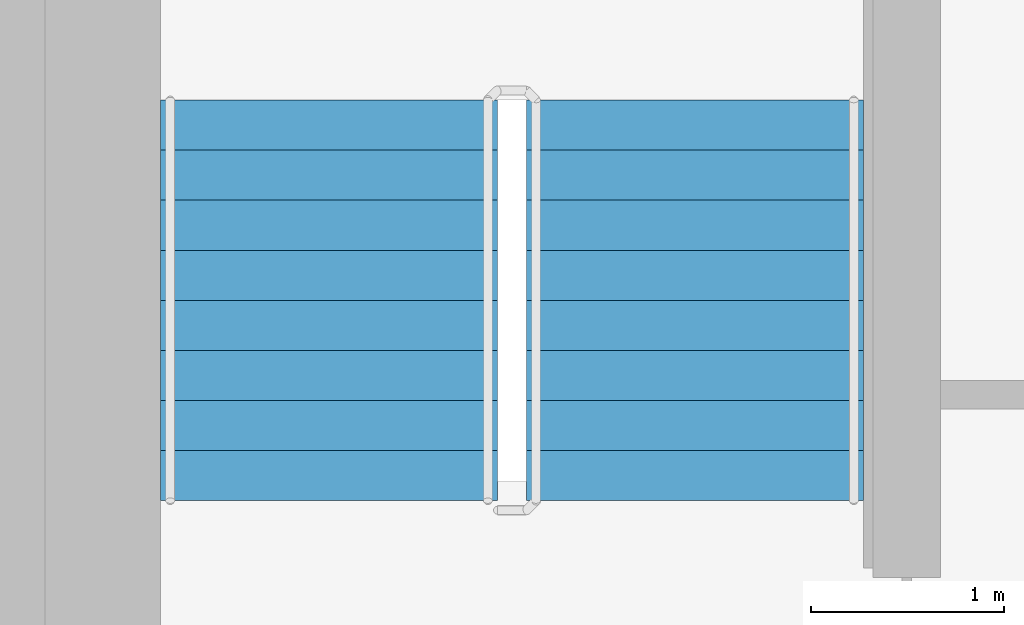
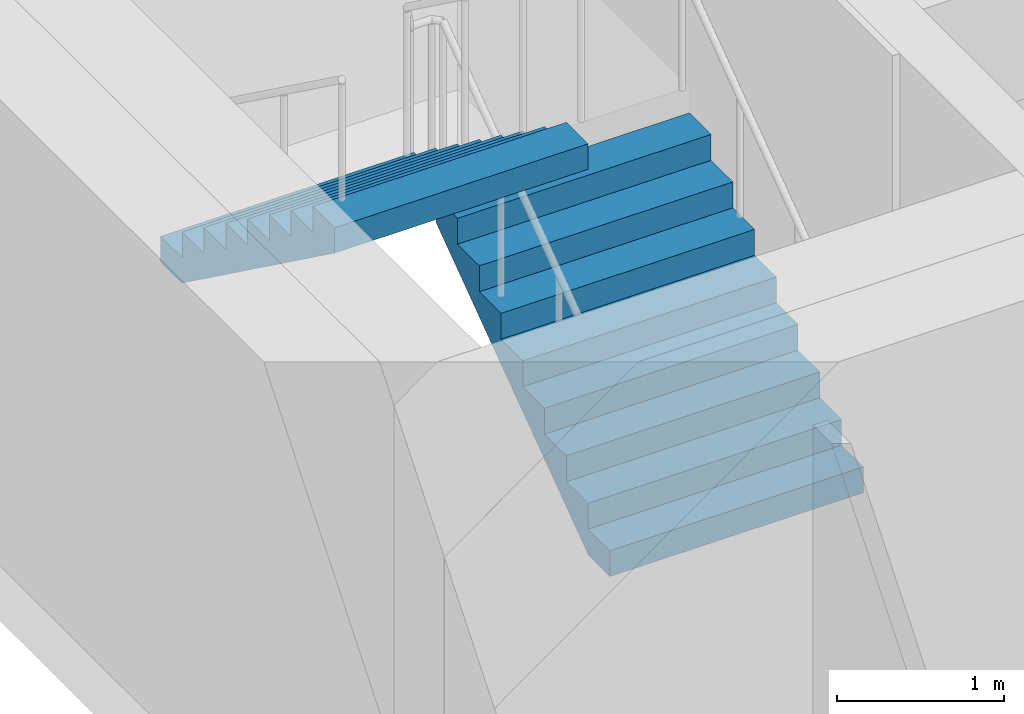
# One storey, part 15 of 18: 2 stair flights, 1 element without a shape of its own.
"""IFC4 building model written with IfcOpenShell, lengths in metres."""

from ifc_helpers import new_model, si_unit, direction, frame, origin, place, context, subcontext, project, spatial, faceted_brep, material, type_object, element, aggregate, save


model = new_model("IFC4")

# Units and contexts
model_context = context("Model", 3, precision=1e-05, world=origin(), true_north=direction((0.0, 1.0)))
body_context = subcontext(model_context, "Body", "Model", "MODEL_VIEW")
ifc_project = project(units=[si_unit("LENGTHUNIT", "METRE"), si_unit("AREAUNIT", "SQUARE_METRE"), si_unit("VOLUMEUNIT", "CUBIC_METRE"), si_unit("PLANEANGLEUNIT", "RADIAN"), si_unit("MASSUNIT", "GRAM", prefix="KILO")], contexts=[model_context])

# Site, building, storey
site_placement = place(None, origin())
site = spatial("IfcSite", under=ifc_project, at=site_placement, CompositionType="ELEMENT")
building_placement = place(site_placement, origin())
building = spatial("IfcBuilding", under=site, at=building_placement, Name="Ipe Terrace Towers", CompositionType="ELEMENT")
storey_placement = place(building_placement, frame((0.0, 0.0, 196.0)))
storey = spatial("IfcBuildingStorey", under=building, at=storey_placement, Name="L54", CompositionType="ELEMENT", Elevation=196.0)

# Stair, stair flights
ifc_material_1 = material(Name="Concrete C30/37", Category="concrete")
stair_type = type_object("IfcStairType", Name="Protected exit stair", PredefinedType="HALF_TURN_STAIR", material=ifc_material_1)
stair_placement = place(storey_placement, origin())
stair = element("IfcStair", 1, at=stair_placement, inside=storey, type_object=stair_type, Name="L54 Exit stair T2-C1", PredefinedType="HALF_TURN_STAIR")
ifc_material_2 = material(Name="Concrete C30/37", Category="concrete")
stair_flight_type = type_object("IfcStairFlightType", Name="Exit stair flight 1750", PredefinedType="STRAIGHT", material=ifc_material_2)
stair_flight_1_placement = place(storey_placement, frame((33.22509765625, 9.699951171875, 0.0), z_axis=(0.0, 0.0, 1.0), x_axis=(0.0, 1.0, 0.0)))
stair_flight_1 = element("IfcStairFlight", 2, at=stair_flight_1_placement, type_object=stair_flight_type, Name="T2-ST1 flight 1", NumberOfRisers=9, NumberOfTreads=8, PredefinedType="STRAIGHT", RiserHeight=0.188888889, TreadLength=0.26, context=body_context, shape_type="Brep", body=[
    faceted_brep([(0.255126953125, -0.875, 0.0), (2.080078125, -0.875, 1.325927734375), (2.080078125, -0.875, 1.51123046875), (1.820068359375, -0.875, 1.51123046875), (1.820068359375, -0.875, 1.322265625), (1.56005859375, -0.875, 1.322265625), (1.56005859375, -0.875, 1.13330078125), (1.300048828125, -0.875, 1.13330078125), (1.300048828125, -0.875, 0.9443359375), (1.0400390625, -0.875, 0.9443359375), (1.0400390625, -0.875, 0.755615234375), (0.780029296875, -0.875, 0.755615234375), (0.780029296875, -0.875, 0.566650390625), (0.52001953125, -0.875, 0.566650390625), (0.52001953125, -0.875, 0.377685546875), (0.260009765625, -0.875, 0.377685546875), (0.260009765625, -0.875, 0.18896484375), (0.0, -0.875, 0.18896484375), (0.0, -0.875, 0.0), (0.0, 0.875, 0.0), (0.0, 0.875, 0.18896484375), (0.260009765625, 0.875, 0.18896484375), (0.260009765625, 0.875, 0.377685546875), (0.52001953125, 0.875, 0.377685546875), (0.52001953125, 0.875, 0.566650390625), (0.780029296875, 0.875, 0.566650390625), (0.780029296875, 0.875, 0.755615234375), (1.0400390625, 0.875, 0.755615234375), (1.0400390625, 0.875, 0.9443359375), (1.300048828125, 0.875, 0.9443359375), (1.300048828125, 0.875, 1.13330078125), (1.56005859375, 0.875, 1.13330078125), (1.56005859375, 0.875, 1.322265625), (1.820068359375, 0.875, 1.322265625), (1.820068359375, 0.875, 1.51123046875), (2.080078125, 0.875, 1.51123046875), (2.080078125, 0.875, 1.325927734375), (0.255126953125, 0.875, 0.0), (0.0, -0.300048828125, 0.18896484375), (0.0, -0.1201171875, 0.18896484375), (0.0, -0.06005859375, 0.18896484375), (0.0, -0.030029296875, 0.18896484375), (0.0, -0.010009765625, 0.18896484375), (0.0, 0.0, 0.18896484375), (0.0, 0.010009765625, 0.18896484375), (0.0, 0.030029296875, 0.18896484375), (0.0, 0.06005859375, 0.18896484375), (0.0, 0.1201171875, 0.18896484375), (0.0, 0.300048828125, 0.18896484375), (0.0, 0.300048828125, 0.0), (0.0, 0.1201171875, 0.0), (0.0, 0.06005859375, 0.0), (0.0, 0.030029296875, 0.0), (0.0, 0.010009765625, 0.0), (0.0, 0.0, 0.0), (0.0, -0.010009765625, 0.0), (0.0, -0.030029296875, 0.0), (0.0, -0.06005859375, 0.0), (0.0, -0.1201171875, 0.0), (0.0, -0.300048828125, 0.0), (0.260009765625, -0.300048828125, 0.18896484375), (0.260009765625, -0.1201171875, 0.18896484375), (0.260009765625, -0.06005859375, 0.18896484375), (0.260009765625, -0.030029296875, 0.18896484375), (0.260009765625, -0.010009765625, 0.18896484375), (0.260009765625, 0.0, 0.18896484375), (0.260009765625, 0.010009765625, 0.18896484375), (0.260009765625, 0.030029296875, 0.18896484375), (0.260009765625, 0.06005859375, 0.18896484375), (0.260009765625, 0.1201171875, 0.18896484375), (0.260009765625, 0.300048828125, 0.18896484375), (0.260009765625, -0.300048828125, 0.377685546875), (0.260009765625, -0.1201171875, 0.377685546875), (0.260009765625, -0.06005859375, 0.377685546875), (0.260009765625, -0.030029296875, 0.377685546875), (0.260009765625, -0.010009765625, 0.377685546875), (0.260009765625, 0.0, 0.377685546875), (0.260009765625, 0.010009765625, 0.377685546875), (0.260009765625, 0.030029296875, 0.377685546875), (0.260009765625, 0.06005859375, 0.377685546875), (0.260009765625, 0.1201171875, 0.377685546875), (0.260009765625, 0.300048828125, 0.377685546875), (0.52001953125, -0.300048828125, 0.377685546875), (0.52001953125, -0.1201171875, 0.377685546875), (0.52001953125, -0.06005859375, 0.377685546875), (0.52001953125, -0.030029296875, 0.377685546875), (0.52001953125, -0.010009765625, 0.377685546875), (0.52001953125, 0.0, 0.377685546875), (0.52001953125, 0.010009765625, 0.377685546875), (0.52001953125, 0.030029296875, 0.377685546875), (0.52001953125, 0.06005859375, 0.377685546875), (0.52001953125, 0.1201171875, 0.377685546875), (0.52001953125, 0.300048828125, 0.377685546875), (0.52001953125, -0.300048828125, 0.566650390625), (0.52001953125, -0.1201171875, 0.566650390625), (0.52001953125, -0.06005859375, 0.566650390625), (0.52001953125, -0.030029296875, 0.566650390625), (0.52001953125, -0.010009765625, 0.566650390625), (0.52001953125, 0.0, 0.566650390625), (0.52001953125, 0.010009765625, 0.566650390625), (0.52001953125, 0.030029296875, 0.566650390625), (0.52001953125, 0.06005859375, 0.566650390625), (0.52001953125, 0.1201171875, 0.566650390625), (0.52001953125, 0.300048828125, 0.566650390625), (0.780029296875, -0.300048828125, 0.566650390625), (0.780029296875, -0.1201171875, 0.566650390625), (0.780029296875, -0.06005859375, 0.566650390625), (0.780029296875, -0.030029296875, 0.566650390625), (0.780029296875, -0.010009765625, 0.566650390625), (0.780029296875, 0.0, 0.566650390625), (0.780029296875, 0.010009765625, 0.566650390625), (0.780029296875, 0.030029296875, 0.566650390625), (0.780029296875, 0.06005859375, 0.566650390625), (0.780029296875, 0.1201171875, 0.566650390625), (0.780029296875, 0.300048828125, 0.566650390625), (0.780029296875, -0.300048828125, 0.755615234375), (0.780029296875, -0.1201171875, 0.755615234375), (0.780029296875, -0.06005859375, 0.755615234375), (0.780029296875, -0.030029296875, 0.755615234375), (0.780029296875, -0.010009765625, 0.755615234375), (0.780029296875, 0.0, 0.755615234375), (0.780029296875, 0.010009765625, 0.755615234375), (0.780029296875, 0.030029296875, 0.755615234375), (0.780029296875, 0.06005859375, 0.755615234375), (0.780029296875, 0.1201171875, 0.755615234375), (0.780029296875, 0.300048828125, 0.755615234375), (1.0400390625, -0.300048828125, 0.755615234375), (1.0400390625, -0.1201171875, 0.755615234375), (1.0400390625, -0.06005859375, 0.755615234375), (1.0400390625, -0.030029296875, 0.755615234375), (1.0400390625, -0.010009765625, 0.755615234375), (1.0400390625, 0.0, 0.755615234375), (1.0400390625, 0.010009765625, 0.755615234375), (1.0400390625, 0.030029296875, 0.755615234375), (1.0400390625, 0.06005859375, 0.755615234375), (1.0400390625, 0.1201171875, 0.755615234375), (1.0400390625, 0.300048828125, 0.755615234375), (1.0400390625, -0.300048828125, 0.9443359375), (1.0400390625, -0.1201171875, 0.9443359375), (1.0400390625, -0.06005859375, 0.9443359375), (1.0400390625, -0.030029296875, 0.9443359375), (1.0400390625, -0.010009765625, 0.9443359375), (1.0400390625, 0.0, 0.9443359375), (1.0400390625, 0.010009765625, 0.9443359375), (1.0400390625, 0.030029296875, 0.9443359375), (1.0400390625, 0.06005859375, 0.9443359375), (1.0400390625, 0.1201171875, 0.9443359375), (1.0400390625, 0.300048828125, 0.9443359375), (1.300048828125, -0.300048828125, 0.9443359375), (1.300048828125, -0.1201171875, 0.9443359375), (1.300048828125, -0.06005859375, 0.9443359375), (1.300048828125, -0.030029296875, 0.9443359375), (1.300048828125, -0.010009765625, 0.9443359375), (1.300048828125, 0.0, 0.9443359375), (1.300048828125, 0.010009765625, 0.9443359375), (1.300048828125, 0.030029296875, 0.9443359375), (1.300048828125, 0.06005859375, 0.9443359375), (1.300048828125, 0.1201171875, 0.9443359375), (1.300048828125, 0.300048828125, 0.9443359375), (1.300048828125, -0.300048828125, 1.13330078125), (1.300048828125, -0.1201171875, 1.13330078125), (1.300048828125, -0.06005859375, 1.13330078125), (1.300048828125, -0.030029296875, 1.13330078125), (1.300048828125, -0.010009765625, 1.13330078125), (1.300048828125, 0.0, 1.13330078125), (1.300048828125, 0.010009765625, 1.13330078125), (1.300048828125, 0.030029296875, 1.13330078125), (1.300048828125, 0.06005859375, 1.13330078125), (1.300048828125, 0.1201171875, 1.13330078125), (1.300048828125, 0.300048828125, 1.13330078125), (1.56005859375, -0.300048828125, 1.13330078125), (1.56005859375, -0.1201171875, 1.13330078125), (1.56005859375, -0.06005859375, 1.13330078125), (1.56005859375, -0.030029296875, 1.13330078125), (1.56005859375, -0.010009765625, 1.13330078125), (1.56005859375, 0.0, 1.13330078125), (1.56005859375, 0.010009765625, 1.13330078125), (1.56005859375, 0.030029296875, 1.13330078125), (1.56005859375, 0.06005859375, 1.13330078125), (1.56005859375, 0.1201171875, 1.13330078125), (1.56005859375, 0.300048828125, 1.13330078125), (1.56005859375, -0.300048828125, 1.322265625), (1.56005859375, -0.1201171875, 1.322265625), (1.56005859375, -0.06005859375, 1.322265625), (1.56005859375, -0.030029296875, 1.322265625), (1.56005859375, -0.010009765625, 1.322265625), (1.56005859375, 0.0, 1.322265625), (1.56005859375, 0.010009765625, 1.322265625), (1.56005859375, 0.030029296875, 1.322265625), (1.56005859375, 0.06005859375, 1.322265625), (1.56005859375, 0.1201171875, 1.322265625), (1.56005859375, 0.300048828125, 1.322265625), (1.820068359375, -0.300048828125, 1.322265625), (1.820068359375, -0.1201171875, 1.322265625), (1.820068359375, -0.06005859375, 1.322265625), (1.820068359375, -0.030029296875, 1.322265625), (1.820068359375, -0.010009765625, 1.322265625), (1.820068359375, 0.0, 1.322265625), (1.820068359375, 0.010009765625, 1.322265625), (1.820068359375, 0.030029296875, 1.322265625), (1.820068359375, 0.06005859375, 1.322265625), (1.820068359375, 0.1201171875, 1.322265625), (1.820068359375, 0.300048828125, 1.322265625), (1.820068359375, -0.300048828125, 1.51123046875), (1.820068359375, -0.1201171875, 1.51123046875), (1.820068359375, -0.06005859375, 1.51123046875), (1.820068359375, -0.030029296875, 1.51123046875), (1.820068359375, -0.010009765625, 1.51123046875), (1.820068359375, 0.0, 1.51123046875), (1.820068359375, 0.010009765625, 1.51123046875), (1.820068359375, 0.030029296875, 1.51123046875), (1.820068359375, 0.06005859375, 1.51123046875), (1.820068359375, 0.1201171875, 1.51123046875), (1.820068359375, 0.300048828125, 1.51123046875), (2.080078125, -0.300048828125, 1.51123046875), (2.080078125, -0.1201171875, 1.51123046875), (2.080078125, -0.06005859375, 1.51123046875), (2.080078125, -0.030029296875, 1.51123046875), (2.080078125, -0.010009765625, 1.51123046875), (2.080078125, 0.0, 1.51123046875), (2.080078125, 0.010009765625, 1.51123046875), (2.080078125, 0.030029296875, 1.51123046875), (2.080078125, 0.06005859375, 1.51123046875), (2.080078125, 0.1201171875, 1.51123046875), (2.080078125, 0.300048828125, 1.51123046875), (2.080078125, -0.300048828125, 1.325927734375), (2.080078125, -0.1201171875, 1.325927734375), (2.080078125, -0.06005859375, 1.325927734375), (2.080078125, -0.030029296875, 1.325927734375), (2.080078125, -0.010009765625, 1.325927734375), (2.080078125, 0.0, 1.325927734375), (2.080078125, 0.010009765625, 1.325927734375), (2.080078125, 0.030029296875, 1.325927734375), (2.080078125, 0.06005859375, 1.325927734375), (2.080078125, 0.1201171875, 1.325927734375), (2.080078125, 0.300048828125, 1.325927734375), (0.255126953125, -0.300048828125, 0.0), (0.255126953125, -0.1201171875, 0.0), (0.255126953125, -0.06005859375, 0.0), (0.255126953125, -0.030029296875, 0.0), (0.255126953125, -0.010009765625, 0.0), (0.255126953125, 0.0, 0.0), (0.255126953125, 0.010009765625, 0.0), (0.255126953125, 0.030029296875, 0.0), (0.255126953125, 0.06005859375, 0.0), (0.255126953125, 0.1201171875, 0.0), (0.255126953125, 0.300048828125, 0.0)], [[[0, 1, 2, 3, 4, 5, 6, 7, 8, 9, 10, 11, 12, 13, 14, 15, 16, 17, 18]], [[19, 20, 21, 22, 23, 24, 25, 26, 27, 28, 29, 30, 31, 32, 33, 34, 35, 36, 37]], [[17, 38, 39, 40, 41, 42, 43, 44, 45, 46, 47, 48, 20, 19, 49, 50, 51, 52, 53, 54, 55, 56, 57, 58, 59, 18]], [[16, 60, 61, 62, 63, 64, 65, 66, 67, 68, 69, 70, 21, 20, 48, 47, 46, 45, 44, 43, 42, 41, 40, 39, 38, 17]], [[15, 71, 72, 73, 74, 75, 76, 77, 78, 79, 80, 81, 22, 21, 70, 69, 68, 67, 66, 65, 64, 63, 62, 61, 60, 16]], [[14, 82, 83, 84, 85, 86, 87, 88, 89, 90, 91, 92, 23, 22, 81, 80, 79, 78, 77, 76, 75, 74, 73, 72, 71, 15]], [[13, 93, 94, 95, 96, 97, 98, 99, 100, 101, 102, 103, 24, 23, 92, 91, 90, 89, 88, 87, 86, 85, 84, 83, 82, 14]], [[12, 104, 105, 106, 107, 108, 109, 110, 111, 112, 113, 114, 25, 24, 103, 102, 101, 100, 99, 98, 97, 96, 95, 94, 93, 13]], [[11, 115, 116, 117, 118, 119, 120, 121, 122, 123, 124, 125, 26, 25, 114, 113, 112, 111, 110, 109, 108, 107, 106, 105, 104, 12]], [[10, 126, 127, 128, 129, 130, 131, 132, 133, 134, 135, 136, 27, 26, 125, 124, 123, 122, 121, 120, 119, 118, 117, 116, 115, 11]], [[9, 137, 138, 139, 140, 141, 142, 143, 144, 145, 146, 147, 28, 27, 136, 135, 134, 133, 132, 131, 130, 129, 128, 127, 126, 10]], [[8, 148, 149, 150, 151, 152, 153, 154, 155, 156, 157, 158, 29, 28, 147, 146, 145, 144, 143, 142, 141, 140, 139, 138, 137, 9]], [[7, 159, 160, 161, 162, 163, 164, 165, 166, 167, 168, 169, 30, 29, 158, 157, 156, 155, 154, 153, 152, 151, 150, 149, 148, 8]], [[6, 170, 171, 172, 173, 174, 175, 176, 177, 178, 179, 180, 31, 30, 169, 168, 167, 166, 165, 164, 163, 162, 161, 160, 159, 7]], [[5, 181, 182, 183, 184, 185, 186, 187, 188, 189, 190, 191, 32, 31, 180, 179, 178, 177, 176, 175, 174, 173, 172, 171, 170, 6]], [[4, 192, 193, 194, 195, 196, 197, 198, 199, 200, 201, 202, 33, 32, 191, 190, 189, 188, 187, 186, 185, 184, 183, 182, 181, 5]], [[3, 203, 204, 205, 206, 207, 208, 209, 210, 211, 212, 213, 34, 33, 202, 201, 200, 199, 198, 197, 196, 195, 194, 193, 192, 4]], [[2, 214, 215, 216, 217, 218, 219, 220, 221, 222, 223, 224, 35, 34, 213, 212, 211, 210, 209, 208, 207, 206, 205, 204, 203, 3]], [[1, 225, 226, 227, 228, 229, 230, 231, 232, 233, 234, 235, 36, 35, 224, 223, 222, 221, 220, 219, 218, 217, 216, 215, 214, 2]], [[0, 236, 237, 238, 239, 240, 241, 242, 243, 244, 245, 246, 37, 36, 235, 234, 233, 232, 231, 230, 229, 228, 227, 226, 225, 1]], [[18, 59, 58, 57, 56, 55, 54, 53, 52, 51, 50, 49, 19, 37, 246, 245, 244, 243, 242, 241, 240, 239, 238, 237, 236, 0]]]),
])
stair_flight_2_placement = place(storey_placement, frame((31.324951171875, 11.780029296875, 1.699951171875), z_axis=(0.0, 0.0, 1.0), x_axis=(0.0, -1.0, 0.0)))
stair_flight_2 = element("IfcStairFlight", 3, at=stair_flight_2_placement, type_object=stair_flight_type, Name="T2-ST1 flight 2", NumberOfRisers=9, NumberOfTreads=8, PredefinedType="STRAIGHT", RiserHeight=0.188888889, TreadLength=0.26, context=body_context, shape_type="Brep", body=[
    faceted_brep([(0.255126953125, -0.875, 0.0), (2.080078125, -0.875, 1.325927734375), (2.080078125, -0.875, 1.51123046875), (1.820068359375, -0.875, 1.51123046875), (1.820068359375, -0.875, 1.322265625), (1.56005859375, -0.875, 1.322265625), (1.56005859375, -0.875, 1.13330078125), (1.300048828125, -0.875, 1.13330078125), (1.300048828125, -0.875, 0.9443359375), (1.0400390625, -0.875, 0.9443359375), (1.0400390625, -0.875, 0.755615234375), (0.780029296875, -0.875, 0.755615234375), (0.780029296875, -0.875, 0.566650390625), (0.52001953125, -0.875, 0.566650390625), (0.52001953125, -0.875, 0.377685546875), (0.260009765625, -0.875, 0.377685546875), (0.260009765625, -0.875, 0.18896484375), (0.0, -0.875, 0.18896484375), (0.0, -0.875, 0.0), (0.0, 0.875, 0.0), (0.0, 0.875, 0.18896484375), (0.260009765625, 0.875, 0.18896484375), (0.260009765625, 0.875, 0.377685546875), (0.52001953125, 0.875, 0.377685546875), (0.52001953125, 0.875, 0.566650390625), (0.780029296875, 0.875, 0.566650390625), (0.780029296875, 0.875, 0.755615234375), (1.0400390625, 0.875, 0.755615234375), (1.0400390625, 0.875, 0.9443359375), (1.300048828125, 0.875, 0.9443359375), (1.300048828125, 0.875, 1.13330078125), (1.56005859375, 0.875, 1.13330078125), (1.56005859375, 0.875, 1.322265625), (1.820068359375, 0.875, 1.322265625), (1.820068359375, 0.875, 1.51123046875), (2.080078125, 0.875, 1.51123046875), (2.080078125, 0.875, 1.325927734375), (0.255126953125, 0.875, 0.0), (0.0, -0.300048828125, 0.18896484375), (0.0, -0.1201171875, 0.18896484375), (0.0, -0.06005859375, 0.18896484375), (0.0, -0.030029296875, 0.18896484375), (0.0, -0.010009765625, 0.18896484375), (0.0, 0.0, 0.18896484375), (0.0, 0.010009765625, 0.18896484375), (0.0, 0.030029296875, 0.18896484375), (0.0, 0.06005859375, 0.18896484375), (0.0, 0.1201171875, 0.18896484375), (0.0, 0.300048828125, 0.18896484375), (0.0, 0.300048828125, 0.0), (0.0, 0.1201171875, 0.0), (0.0, 0.06005859375, 0.0), (0.0, 0.030029296875, 0.0), (0.0, 0.010009765625, 0.0), (0.0, 0.0, 0.0), (0.0, -0.010009765625, 0.0), (0.0, -0.030029296875, 0.0), (0.0, -0.06005859375, 0.0), (0.0, -0.1201171875, 0.0), (0.0, -0.300048828125, 0.0), (0.260009765625, -0.300048828125, 0.18896484375), (0.260009765625, -0.1201171875, 0.18896484375), (0.260009765625, -0.06005859375, 0.18896484375), (0.260009765625, -0.030029296875, 0.18896484375), (0.260009765625, -0.010009765625, 0.18896484375), (0.260009765625, 0.0, 0.18896484375), (0.260009765625, 0.010009765625, 0.18896484375), (0.260009765625, 0.030029296875, 0.18896484375), (0.260009765625, 0.06005859375, 0.18896484375), (0.260009765625, 0.1201171875, 0.18896484375), (0.260009765625, 0.300048828125, 0.18896484375), (0.260009765625, -0.300048828125, 0.377685546875), (0.260009765625, -0.1201171875, 0.377685546875), (0.260009765625, -0.06005859375, 0.377685546875), (0.260009765625, -0.030029296875, 0.377685546875), (0.260009765625, -0.010009765625, 0.377685546875), (0.260009765625, 0.0, 0.377685546875), (0.260009765625, 0.010009765625, 0.377685546875), (0.260009765625, 0.030029296875, 0.377685546875), (0.260009765625, 0.06005859375, 0.377685546875), (0.260009765625, 0.1201171875, 0.377685546875), (0.260009765625, 0.300048828125, 0.377685546875), (0.52001953125, -0.300048828125, 0.377685546875), (0.52001953125, -0.1201171875, 0.377685546875), (0.52001953125, -0.06005859375, 0.377685546875), (0.52001953125, -0.030029296875, 0.377685546875), (0.52001953125, -0.010009765625, 0.377685546875), (0.52001953125, 0.0, 0.377685546875), (0.52001953125, 0.010009765625, 0.377685546875), (0.52001953125, 0.030029296875, 0.377685546875), (0.52001953125, 0.06005859375, 0.377685546875), (0.52001953125, 0.1201171875, 0.377685546875), (0.52001953125, 0.300048828125, 0.377685546875), (0.52001953125, -0.300048828125, 0.566650390625), (0.52001953125, -0.1201171875, 0.566650390625), (0.52001953125, -0.06005859375, 0.566650390625), (0.52001953125, -0.030029296875, 0.566650390625), (0.52001953125, -0.010009765625, 0.566650390625), (0.52001953125, 0.0, 0.566650390625), (0.52001953125, 0.010009765625, 0.566650390625), (0.52001953125, 0.030029296875, 0.566650390625), (0.52001953125, 0.06005859375, 0.566650390625), (0.52001953125, 0.1201171875, 0.566650390625), (0.52001953125, 0.300048828125, 0.566650390625), (0.780029296875, -0.300048828125, 0.566650390625), (0.780029296875, -0.1201171875, 0.566650390625), (0.780029296875, -0.06005859375, 0.566650390625), (0.780029296875, -0.030029296875, 0.566650390625), (0.780029296875, -0.010009765625, 0.566650390625), (0.780029296875, 0.0, 0.566650390625), (0.780029296875, 0.010009765625, 0.566650390625), (0.780029296875, 0.030029296875, 0.566650390625), (0.780029296875, 0.06005859375, 0.566650390625), (0.780029296875, 0.1201171875, 0.566650390625), (0.780029296875, 0.300048828125, 0.566650390625), (0.780029296875, -0.300048828125, 0.755615234375), (0.780029296875, -0.1201171875, 0.755615234375), (0.780029296875, -0.06005859375, 0.755615234375), (0.780029296875, -0.030029296875, 0.755615234375), (0.780029296875, -0.010009765625, 0.755615234375), (0.780029296875, 0.0, 0.755615234375), (0.780029296875, 0.010009765625, 0.755615234375), (0.780029296875, 0.030029296875, 0.755615234375), (0.780029296875, 0.06005859375, 0.755615234375), (0.780029296875, 0.1201171875, 0.755615234375), (0.780029296875, 0.300048828125, 0.755615234375), (1.0400390625, -0.300048828125, 0.755615234375), (1.0400390625, -0.1201171875, 0.755615234375), (1.0400390625, -0.06005859375, 0.755615234375), (1.0400390625, -0.030029296875, 0.755615234375), (1.0400390625, -0.010009765625, 0.755615234375), (1.0400390625, 0.0, 0.755615234375), (1.0400390625, 0.010009765625, 0.755615234375), (1.0400390625, 0.030029296875, 0.755615234375), (1.0400390625, 0.06005859375, 0.755615234375), (1.0400390625, 0.1201171875, 0.755615234375), (1.0400390625, 0.300048828125, 0.755615234375), (1.0400390625, -0.300048828125, 0.9443359375), (1.0400390625, -0.1201171875, 0.9443359375), (1.0400390625, -0.06005859375, 0.9443359375), (1.0400390625, -0.030029296875, 0.9443359375), (1.0400390625, -0.010009765625, 0.9443359375), (1.0400390625, 0.0, 0.9443359375), (1.0400390625, 0.010009765625, 0.9443359375), (1.0400390625, 0.030029296875, 0.9443359375), (1.0400390625, 0.06005859375, 0.9443359375), (1.0400390625, 0.1201171875, 0.9443359375), (1.0400390625, 0.300048828125, 0.9443359375), (1.300048828125, -0.300048828125, 0.9443359375), (1.300048828125, -0.1201171875, 0.9443359375), (1.300048828125, -0.06005859375, 0.9443359375), (1.300048828125, -0.030029296875, 0.9443359375), (1.300048828125, -0.010009765625, 0.9443359375), (1.300048828125, 0.0, 0.9443359375), (1.300048828125, 0.010009765625, 0.9443359375), (1.300048828125, 0.030029296875, 0.9443359375), (1.300048828125, 0.06005859375, 0.9443359375), (1.300048828125, 0.1201171875, 0.9443359375), (1.300048828125, 0.300048828125, 0.9443359375), (1.300048828125, -0.300048828125, 1.13330078125), (1.300048828125, -0.1201171875, 1.13330078125), (1.300048828125, -0.06005859375, 1.13330078125), (1.300048828125, -0.030029296875, 1.13330078125), (1.300048828125, -0.010009765625, 1.13330078125), (1.300048828125, 0.0, 1.13330078125), (1.300048828125, 0.010009765625, 1.13330078125), (1.300048828125, 0.030029296875, 1.13330078125), (1.300048828125, 0.06005859375, 1.13330078125), (1.300048828125, 0.1201171875, 1.13330078125), (1.300048828125, 0.300048828125, 1.13330078125), (1.56005859375, -0.300048828125, 1.13330078125), (1.56005859375, -0.1201171875, 1.13330078125), (1.56005859375, -0.06005859375, 1.13330078125), (1.56005859375, -0.030029296875, 1.13330078125), (1.56005859375, -0.010009765625, 1.13330078125), (1.56005859375, 0.0, 1.13330078125), (1.56005859375, 0.010009765625, 1.13330078125), (1.56005859375, 0.030029296875, 1.13330078125), (1.56005859375, 0.06005859375, 1.13330078125), (1.56005859375, 0.1201171875, 1.13330078125), (1.56005859375, 0.300048828125, 1.13330078125), (1.56005859375, -0.300048828125, 1.322265625), (1.56005859375, -0.1201171875, 1.322265625), (1.56005859375, -0.06005859375, 1.322265625), (1.56005859375, -0.030029296875, 1.322265625), (1.56005859375, -0.010009765625, 1.322265625), (1.56005859375, 0.0, 1.322265625), (1.56005859375, 0.010009765625, 1.322265625), (1.56005859375, 0.030029296875, 1.322265625), (1.56005859375, 0.06005859375, 1.322265625), (1.56005859375, 0.1201171875, 1.322265625), (1.56005859375, 0.300048828125, 1.322265625), (1.820068359375, -0.300048828125, 1.322265625), (1.820068359375, -0.1201171875, 1.322265625), (1.820068359375, -0.06005859375, 1.322265625), (1.820068359375, -0.030029296875, 1.322265625), (1.820068359375, -0.010009765625, 1.322265625), (1.820068359375, 0.0, 1.322265625), (1.820068359375, 0.010009765625, 1.322265625), (1.820068359375, 0.030029296875, 1.322265625), (1.820068359375, 0.06005859375, 1.322265625), (1.820068359375, 0.1201171875, 1.322265625), (1.820068359375, 0.300048828125, 1.322265625), (1.820068359375, -0.300048828125, 1.51123046875), (1.820068359375, -0.1201171875, 1.51123046875), (1.820068359375, -0.06005859375, 1.51123046875), (1.820068359375, -0.030029296875, 1.51123046875), (1.820068359375, -0.010009765625, 1.51123046875), (1.820068359375, 0.0, 1.51123046875), (1.820068359375, 0.010009765625, 1.51123046875), (1.820068359375, 0.030029296875, 1.51123046875), (1.820068359375, 0.06005859375, 1.51123046875), (1.820068359375, 0.1201171875, 1.51123046875), (1.820068359375, 0.300048828125, 1.51123046875), (2.080078125, -0.300048828125, 1.51123046875), (2.080078125, -0.1201171875, 1.51123046875), (2.080078125, -0.06005859375, 1.51123046875), (2.080078125, -0.030029296875, 1.51123046875), (2.080078125, -0.010009765625, 1.51123046875), (2.080078125, 0.0, 1.51123046875), (2.080078125, 0.010009765625, 1.51123046875), (2.080078125, 0.030029296875, 1.51123046875), (2.080078125, 0.06005859375, 1.51123046875), (2.080078125, 0.1201171875, 1.51123046875), (2.080078125, 0.300048828125, 1.51123046875), (2.080078125, -0.300048828125, 1.325927734375), (2.080078125, -0.1201171875, 1.325927734375), (2.080078125, -0.06005859375, 1.325927734375), (2.080078125, -0.030029296875, 1.325927734375), (2.080078125, -0.010009765625, 1.325927734375), (2.080078125, 0.0, 1.325927734375), (2.080078125, 0.010009765625, 1.325927734375), (2.080078125, 0.030029296875, 1.325927734375), (2.080078125, 0.06005859375, 1.325927734375), (2.080078125, 0.1201171875, 1.325927734375), (2.080078125, 0.300048828125, 1.325927734375), (0.255126953125, -0.300048828125, 0.0), (0.255126953125, -0.1201171875, 0.0), (0.255126953125, -0.06005859375, 0.0), (0.255126953125, -0.030029296875, 0.0), (0.255126953125, -0.010009765625, 0.0), (0.255126953125, 0.0, 0.0), (0.255126953125, 0.010009765625, 0.0), (0.255126953125, 0.030029296875, 0.0), (0.255126953125, 0.06005859375, 0.0), (0.255126953125, 0.1201171875, 0.0), (0.255126953125, 0.300048828125, 0.0)], [[[0, 1, 2, 3, 4, 5, 6, 7, 8, 9, 10, 11, 12, 13, 14, 15, 16, 17, 18]], [[19, 20, 21, 22, 23, 24, 25, 26, 27, 28, 29, 30, 31, 32, 33, 34, 35, 36, 37]], [[17, 38, 39, 40, 41, 42, 43, 44, 45, 46, 47, 48, 20, 19, 49, 50, 51, 52, 53, 54, 55, 56, 57, 58, 59, 18]], [[16, 60, 61, 62, 63, 64, 65, 66, 67, 68, 69, 70, 21, 20, 48, 47, 46, 45, 44, 43, 42, 41, 40, 39, 38, 17]], [[15, 71, 72, 73, 74, 75, 76, 77, 78, 79, 80, 81, 22, 21, 70, 69, 68, 67, 66, 65, 64, 63, 62, 61, 60, 16]], [[14, 82, 83, 84, 85, 86, 87, 88, 89, 90, 91, 92, 23, 22, 81, 80, 79, 78, 77, 76, 75, 74, 73, 72, 71, 15]], [[13, 93, 94, 95, 96, 97, 98, 99, 100, 101, 102, 103, 24, 23, 92, 91, 90, 89, 88, 87, 86, 85, 84, 83, 82, 14]], [[12, 104, 105, 106, 107, 108, 109, 110, 111, 112, 113, 114, 25, 24, 103, 102, 101, 100, 99, 98, 97, 96, 95, 94, 93, 13]], [[11, 115, 116, 117, 118, 119, 120, 121, 122, 123, 124, 125, 26, 25, 114, 113, 112, 111, 110, 109, 108, 107, 106, 105, 104, 12]], [[10, 126, 127, 128, 129, 130, 131, 132, 133, 134, 135, 136, 27, 26, 125, 124, 123, 122, 121, 120, 119, 118, 117, 116, 115, 11]], [[9, 137, 138, 139, 140, 141, 142, 143, 144, 145, 146, 147, 28, 27, 136, 135, 134, 133, 132, 131, 130, 129, 128, 127, 126, 10]], [[8, 148, 149, 150, 151, 152, 153, 154, 155, 156, 157, 158, 29, 28, 147, 146, 145, 144, 143, 142, 141, 140, 139, 138, 137, 9]], [[7, 159, 160, 161, 162, 163, 164, 165, 166, 167, 168, 169, 30, 29, 158, 157, 156, 155, 154, 153, 152, 151, 150, 149, 148, 8]], [[6, 170, 171, 172, 173, 174, 175, 176, 177, 178, 179, 180, 31, 30, 169, 168, 167, 166, 165, 164, 163, 162, 161, 160, 159, 7]], [[5, 181, 182, 183, 184, 185, 186, 187, 188, 189, 190, 191, 32, 31, 180, 179, 178, 177, 176, 175, 174, 173, 172, 171, 170, 6]], [[4, 192, 193, 194, 195, 196, 197, 198, 199, 200, 201, 202, 33, 32, 191, 190, 189, 188, 187, 186, 185, 184, 183, 182, 181, 5]], [[3, 203, 204, 205, 206, 207, 208, 209, 210, 211, 212, 213, 34, 33, 202, 201, 200, 199, 198, 197, 196, 195, 194, 193, 192, 4]], [[2, 214, 215, 216, 217, 218, 219, 220, 221, 222, 223, 224, 35, 34, 213, 212, 211, 210, 209, 208, 207, 206, 205, 204, 203, 3]], [[1, 225, 226, 227, 228, 229, 230, 231, 232, 233, 234, 235, 36, 35, 224, 223, 222, 221, 220, 219, 218, 217, 216, 215, 214, 2]], [[0, 236, 237, 238, 239, 240, 241, 242, 243, 244, 245, 246, 37, 36, 235, 234, 233, 232, 231, 230, 229, 228, 227, 226, 225, 1]], [[18, 59, 58, 57, 56, 55, 54, 53, 52, 51, 50, 49, 19, 37, 246, 245, 244, 243, 242, 241, 240, 239, 238, 237, 236, 0]]]),
])
aggregate(stair, [stair_flight_1, stair_flight_2])

save(model, "model.ifc")
